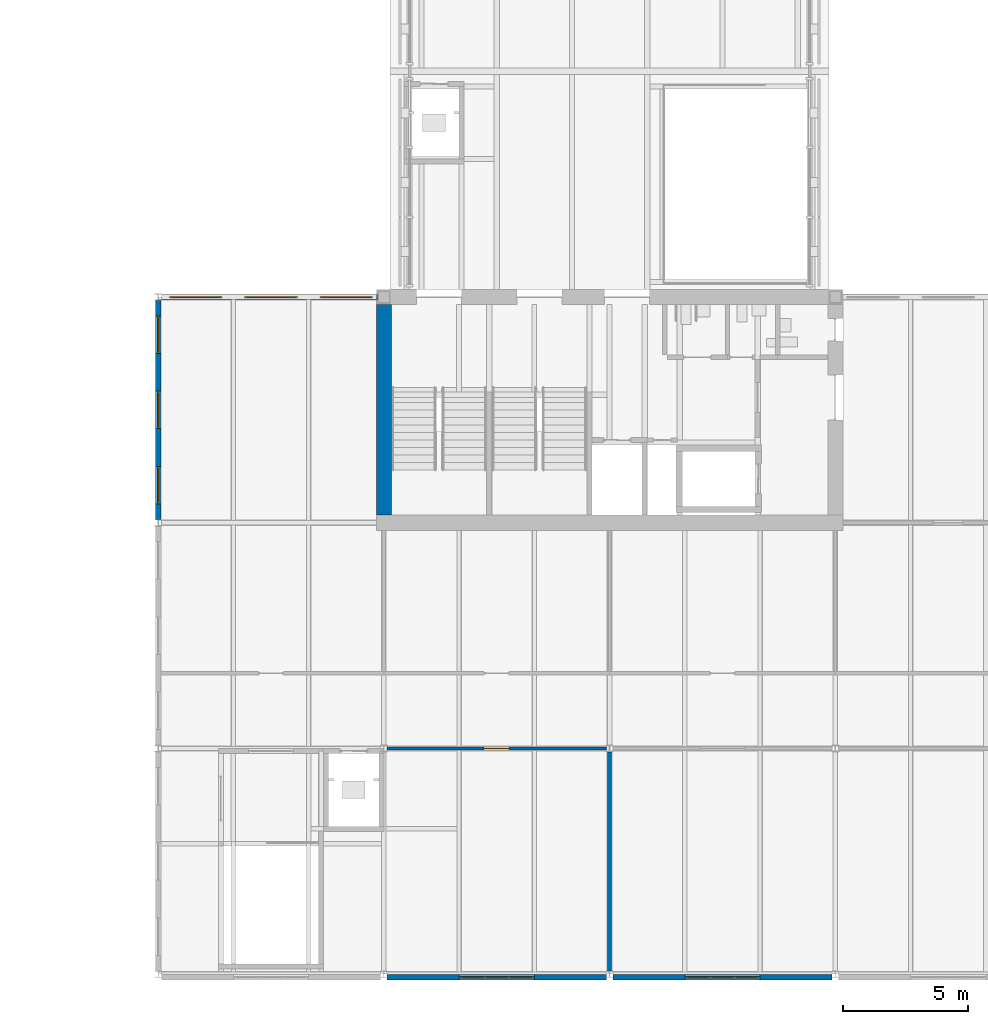
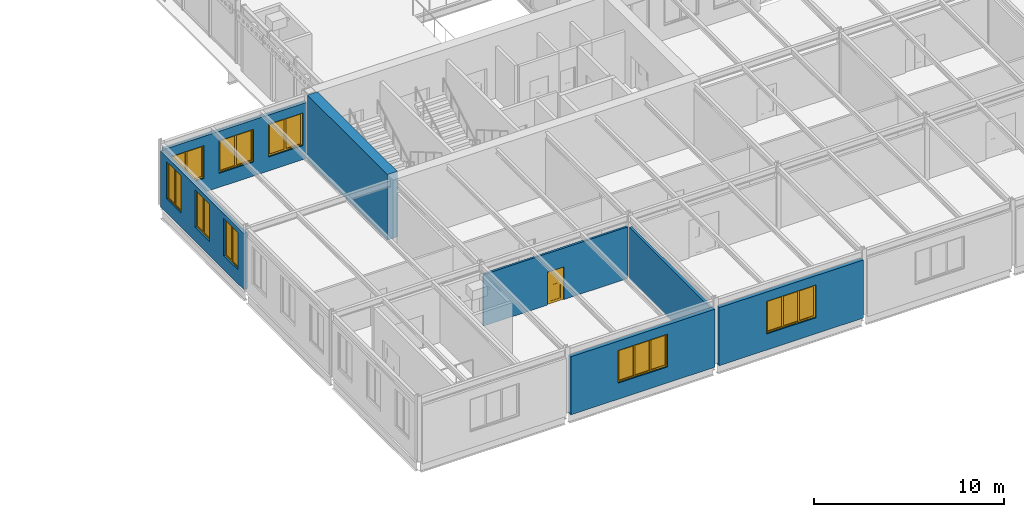
# One storey, part 60 of 123: 8 windows, 7 walls, 1 door, 9 openings.
"""IFC4 building model written with IfcOpenShell, lengths in metres."""

from ifc_helpers import new_model, si_unit, direction, frame, frame_2d, origin, place, context, subcontext, project, spatial, polyline, rectangle, outline, extrude, material, layer, layer_set, type_object, element, fill, save


model = new_model("IFC4")

# Units and contexts
model_context = context("Model", 3, precision=1e-05, world=origin(), true_north=direction((0.0, 1.0)))
body_context = subcontext(model_context, "Body", "Model", "MODEL_VIEW")
ifc_project = project(units=[si_unit("LENGTHUNIT", "METRE"), si_unit("AREAUNIT", "SQUARE_METRE"), si_unit("VOLUMEUNIT", "CUBIC_METRE"), si_unit("PLANEANGLEUNIT", "RADIAN"), si_unit("MASSUNIT", "GRAM", prefix="KILO")], contexts=[model_context])

# Site, building, storey
site_placement = place(None, origin())
site = spatial("IfcSite", under=ifc_project, at=site_placement, CompositionType="ELEMENT")
building_placement = place(site_placement, origin())
building = spatial("IfcBuilding", under=site, at=building_placement, Name="Baradari Gate Terminus", CompositionType="ELEMENT")
storey_placement = place(building_placement, frame((0.0, 0.0, 7.5)))
storey = spatial("IfcBuildingStorey", under=building, at=storey_placement, Name="L01", CompositionType="ELEMENT", Elevation=7.5)

# Wall
ifc_material_1 = material(Name="Concrete C40/50", Category="concrete")
ifc_layer_1 = layer(ifc_material_1, 0.60009765625)
ifc_layer_set_1 = layer_set([ifc_layer_1], Name="Concrete C40/50")
wall_type_1 = type_object("IfcWallType", Name="Abutment core wall CWL04 600", PredefinedType="SOLIDWALL", material=ifc_layer_set_1)
wall_1_placement = place(storey_placement, frame((72.0, 27.300048828125, 0.0), z_axis=(0.0, 0.0, 1.0), x_axis=(0.0, 1.0, 0.0)))
element("IfcWall", 1, at=wall_1_placement, inside=storey, type_object=wall_type_1, Name="Abutment core wall GS W L01", PredefinedType="SOLIDWALL", context=body_context, shape_type="SweptSolid", body=[
    extrude(rectangle(XDim=8.39990234375, YDim=0.60009765625, at=frame_2d((4.199951171875, 0.0))), origin(), (0.0, 0.0, 1.0), 4.199951171875),
])

# Wall, opening, door
ifc_material_2 = material(Name="Gypsum board")
ifc_layer_2 = layer(ifc_material_2, 0.125)
ifc_layer_set_2 = layer_set([ifc_layer_2], Name="Gypsum board")
wall_type_2 = type_object("IfcWallType", Name="Corridor partition PT-5 125 EI 30", PredefinedType="PARTITIONING", material=ifc_layer_set_2)
wall_2_placement = place(storey_placement, frame((80.871826171875, 18.0, 0.0), z_axis=(0.0, 0.0, 1.0), x_axis=(-1.0, 0.0, 0.0)))
wall_2 = element("IfcWall", 2, at=wall_2_placement, inside=storey, type_object=wall_type_2, Name="PT-5 partition Corridor (Service Corridor South) / South Wing Office 7", PredefinedType="PARTITIONING", context=body_context, shape_type="SweptSolid", body=[
    extrude(rectangle(XDim=8.74365234375, YDim=0.125, at=frame_2d((4.371826171875, 0.0))), origin(), (0.0, 0.0, 1.0), 3.306884765625),
])
opening_1_placement = place(wall_2_placement, frame((3.871826171875, 0.0, 0.0)))
opening_1 = element("IfcOpeningElement", 3, at=opening_1_placement, cuts=wall_2, Name="Opening D01-083", PredefinedType="OPENING", context=body_context, shape_type="SweptSolid", body=[
    extrude(rectangle(XDim=1.0, YDim=2.10009765625, at=frame_2d((0.5, 1.050048828125))), frame((0.0, 0.072509765625, 0.0), z_axis=(0.0, -1.0, 0.0), x_axis=(1.0, 0.0, 0.0)), (0.0, 0.0, 1.0), 0.14501953125),
])
ifc_material_3 = material(Name="Steel S275", Category="steel")
door_type = type_object("IfcDoorType", Name="Fire door FI-1000-FD30S 1000x2100 FD30S", OperationType="SINGLE_SWING_LEFT", PredefinedType="DOOR", material=ifc_material_3)
door_placement = place(opening_1_placement, origin())
door = element("IfcDoor", 4, at=door_placement, inside=storey, type_object=door_type, Name="Door South Wing Office 7", OperationType="SINGLE_SWING_LEFT", OverallHeight=2.1, OverallWidth=1.0, PredefinedType="DOOR", context=body_context, shape_type="SweptSolid", body=[
    extrude(outline(polyline([(0.0, 0.0), (0.070068359375, 0.0), (0.070068359375, 2.030029296875), (0.929931640625, 2.030029296875), (0.929931640625, 0.0), (1.0, 0.0), (1.0, 2.10009765625), (0.0, 2.10009765625), (0.0, 0.0)])), frame((0.0, 0.02490234375, 0.0), z_axis=(0.0, -1.0, 0.0), x_axis=(1.0, 0.0, 0.0)), (0.0, 0.0, 1.0), 0.050048828125),
    extrude(outline(polyline([(0.073974609375, 0.010009765625), (0.926025390625, 0.010009765625), (0.926025390625, 2.026123046875), (0.073974609375, 2.026123046875), (0.073974609375, 0.010009765625)]), holes=[polyline([(0.194091796875, 0.159912109375), (0.805908203125, 0.159912109375), (0.805908203125, 1.010009765625), (0.194091796875, 1.010009765625), (0.194091796875, 0.159912109375)]), polyline([(0.35009765625, 1.159912109375), (0.64990234375, 1.159912109375), (0.64990234375, 1.760009765625), (0.35009765625, 1.760009765625), (0.35009765625, 1.159912109375)])]), frame((0.0, 0.017333984375, 0.0), z_axis=(0.0, -1.0, 0.0), x_axis=(1.0, 0.0, 0.0)), (0.0, 0.0, 1.0), 0.034912109375),
    extrude(rectangle(XDim=0.61181640625, YDim=0.85009765625, at=frame_2d((0.5, 0.5849609375))), frame((0.0, 0.008544921875, 0.0), z_axis=(0.0, -1.0, 0.0), x_axis=(1.0, 0.0, 0.0)), (0.0, 0.0, 1.0), 0.017333984375),
    extrude(rectangle(XDim=0.2998046875, YDim=0.60009765625, at=frame_2d((0.5, 1.4599609375))), frame((0.0, 0.005859375, 0.0), z_axis=(0.0, -1.0, 0.0), x_axis=(1.0, 0.0, 0.0)), (0.0, 0.0, 1.0), 0.011962890625),
])
fill(opening_1, door)

# Wall, opening, window
ifc_material_4 = material(Name="Light ochre laterite masonry", Category="masonry")
ifc_layer_3 = layer(ifc_material_4, 0.219970703125)
ifc_layer_set_3 = layer_set([ifc_layer_3], Name="Light ochre laterite masonry")
wall_type_3 = type_object("IfcWallType", Name="Laterite masonry wall WP-2 220", PredefinedType="SOLIDWALL", material=ifc_layer_set_3)
wall_3_placement = place(storey_placement, frame((72.127197265625, 8.880126953125, -0.1298828125), z_axis=(0.0, 0.0, 1.0), x_axis=(1.0, 0.0, 0.0)))
wall_3 = element("IfcWall", 5, at=wall_3_placement, inside=storey, type_object=wall_type_3, Name="south front wall SS bay 9 L01", PredefinedType="SOLIDWALL", context=body_context, shape_type="SweptSolid", body=[
    extrude(rectangle(XDim=8.74560546875, YDim=0.219970703125, at=frame_2d((4.372802734375, 0.0))), origin(), (0.0, 0.0, 1.0), 3.7265625),
])
opening_2_placement = place(wall_3_placement, frame((2.872802734375, 0.0, 1.030029296875)))
opening_2 = element("IfcOpeningElement", 6, at=opening_2_placement, cuts=wall_3, Name="Opening W5", PredefinedType="OPENING", context=body_context, shape_type="SweptSolid", body=[
    extrude(rectangle(XDim=3.0, YDim=2.10009765625, at=frame_2d((1.5, 1.050048828125))), frame((0.0, 0.119873046875, 0.0), z_axis=(0.0, -1.0, 0.0), x_axis=(1.0, 0.0, 0.0)), (0.0, 0.0, 1.0), 0.239990234375),
])
ifc_material_5 = material(Name="Aluminium 6063-T6", Category="aluminium")
window_type_1 = type_object("IfcWindowType", Name="Wide window, 4-light W5 3000x2100", PartitioningType="TRIPLE_PANEL_VERTICAL", PredefinedType="WINDOW", material=ifc_material_5)
window_1_placement = place(opening_2_placement, origin())
window_1 = element("IfcWindow", 7, at=window_1_placement, inside=storey, type_object=window_type_1, Name="Window W5 SS/08", OverallHeight=2.1, OverallWidth=3.0, PartitioningType="TRIPLE_PANEL_VERTICAL", PredefinedType="WINDOW", context=body_context, shape_type="SweptSolid", body=[
    extrude(outline(polyline([(0.0, 0.0), (3.0, 0.0), (3.0, 2.10009765625), (0.0, 2.10009765625), (0.0, 0.0)]), holes=[polyline([(0.070068359375, 0.070068359375), (2.929931640625, 0.070068359375), (2.929931640625, 2.030029296875), (0.070068359375, 2.030029296875), (0.070068359375, 0.070068359375)])]), frame((0.0, 0.030029296875, 0.0), z_axis=(0.0, -1.0, 0.0), x_axis=(1.0, 0.0, 0.0)), (0.0, 0.0, 1.0), 0.06005859375),
    extrude(rectangle(XDim=0.0400390625, YDim=1.9599609375, at=frame_2d((1.0166015625, 1.050048828125))), frame((0.0, 0.02197265625, 0.0), z_axis=(0.0, -1.0, 0.0), x_axis=(1.0, 0.0, 0.0)), (0.0, 0.0, 1.0), 0.0439453125),
    extrude(rectangle(XDim=0.0400390625, YDim=1.9599609375, at=frame_2d((1.9833984375, 1.050048828125))), frame((0.0, 0.02197265625, 0.0), z_axis=(0.0, -1.0, 0.0), x_axis=(1.0, 0.0, 0.0)), (0.0, 0.0, 1.0), 0.0439453125),
    extrude(outline(polyline([(0.070068359375, 0.070068359375), (0.99658203125, 0.070068359375), (0.99658203125, 2.030029296875), (0.070068359375, 2.030029296875), (0.070068359375, 0.070068359375)]), holes=[polyline([(0.10009765625, 0.10009765625), (0.966552734375, 0.10009765625), (0.966552734375, 2.0), (0.10009765625, 2.0), (0.10009765625, 0.10009765625)])]), frame((0.0, 0.0224609375, 0.0), z_axis=(0.0, -1.0, 0.0), x_axis=(1.0, 0.0, 0.0)), (0.0, 0.0, 1.0), 0.044921875),
    extrude(rectangle(XDim=0.866455078125, YDim=1.89990234375, at=frame_2d((0.533203125, 1.050048828125))), frame((0.0, 0.006103515625, 0.0), z_axis=(0.0, -1.0, 0.0), x_axis=(1.0, 0.0, 0.0)), (0.0, 0.0, 1.0), 0.01220703125),
    extrude(outline(polyline([(1.03662109375, 0.070068359375), (1.96337890625, 0.070068359375), (1.96337890625, 2.030029296875), (1.03662109375, 2.030029296875), (1.03662109375, 0.070068359375)]), holes=[polyline([(1.066650390625, 0.10009765625), (1.933349609375, 0.10009765625), (1.933349609375, 2.0), (1.066650390625, 2.0), (1.066650390625, 0.10009765625)])]), frame((0.0, 0.0224609375, 0.0), z_axis=(0.0, -1.0, 0.0), x_axis=(1.0, 0.0, 0.0)), (0.0, 0.0, 1.0), 0.044921875),
    extrude(rectangle(XDim=0.86669921875, YDim=1.89990234375, at=frame_2d((1.5, 1.050048828125))), frame((0.0, 0.006103515625, 0.0), z_axis=(0.0, -1.0, 0.0), x_axis=(1.0, 0.0, 0.0)), (0.0, 0.0, 1.0), 0.01220703125),
    extrude(outline(polyline([(2.00341796875, 0.070068359375), (2.929931640625, 0.070068359375), (2.929931640625, 2.030029296875), (2.00341796875, 2.030029296875), (2.00341796875, 0.070068359375)]), holes=[polyline([(2.033447265625, 0.10009765625), (2.89990234375, 0.10009765625), (2.89990234375, 2.0), (2.033447265625, 2.0), (2.033447265625, 0.10009765625)])]), frame((0.0, 0.0224609375, 0.0), z_axis=(0.0, -1.0, 0.0), x_axis=(1.0, 0.0, 0.0)), (0.0, 0.0, 1.0), 0.044921875),
    extrude(rectangle(XDim=0.866455078125, YDim=1.89990234375, at=frame_2d((2.466796875, 1.050048828125))), frame((0.0, 0.006103515625, 0.0), z_axis=(0.0, -1.0, 0.0), x_axis=(1.0, 0.0, 0.0)), (0.0, 0.0, 1.0), 0.01220703125),
])
fill(opening_2, window_1)

wall_4_placement = place(storey_placement, frame((81.127197265625, 8.880126953125, -0.1298828125), z_axis=(0.0, 0.0, 1.0), x_axis=(1.0, 0.0, 0.0)))
wall_4 = element("IfcWall", 8, at=wall_4_placement, inside=storey, type_object=wall_type_3, Name="south front wall SS bay 10 L01", PredefinedType="SOLIDWALL", context=body_context, shape_type="SweptSolid", body=[
    extrude(rectangle(XDim=8.74560546875, YDim=0.219970703125, at=frame_2d((4.372802734375, 0.0))), origin(), (0.0, 0.0, 1.0), 3.7265625),
])
opening_3_placement = place(wall_4_placement, frame((2.872802734375, 0.0, 1.030029296875)))
opening_3 = element("IfcOpeningElement", 9, at=opening_3_placement, cuts=wall_4, Name="Opening W5", PredefinedType="OPENING", context=body_context, shape_type="SweptSolid", body=[
    extrude(rectangle(XDim=3.0, YDim=2.10009765625, at=frame_2d((1.5, 1.050048828125))), frame((0.0, 0.119873046875, 0.0), z_axis=(0.0, -1.0, 0.0), x_axis=(1.0, 0.0, 0.0)), (0.0, 0.0, 1.0), 0.239990234375),
])
window_2_placement = place(opening_3_placement, origin())
window_2 = element("IfcWindow", 10, at=window_2_placement, inside=storey, type_object=window_type_1, Name="Window W5 SS/09", OverallHeight=2.1, OverallWidth=3.0, PartitioningType="TRIPLE_PANEL_VERTICAL", PredefinedType="WINDOW", context=body_context, shape_type="SweptSolid", body=[
    extrude(outline(polyline([(0.0, 0.0), (3.0, 0.0), (3.0, 2.10009765625), (0.0, 2.10009765625), (0.0, 0.0)]), holes=[polyline([(0.070068359375, 0.070068359375), (2.929931640625, 0.070068359375), (2.929931640625, 2.030029296875), (0.070068359375, 2.030029296875), (0.070068359375, 0.070068359375)])]), frame((0.0, 0.030029296875, 0.0), z_axis=(0.0, -1.0, 0.0), x_axis=(1.0, 0.0, 0.0)), (0.0, 0.0, 1.0), 0.06005859375),
    extrude(rectangle(XDim=0.0400390625, YDim=1.9599609375, at=frame_2d((1.0166015625, 1.050048828125))), frame((0.0, 0.02197265625, 0.0), z_axis=(0.0, -1.0, 0.0), x_axis=(1.0, 0.0, 0.0)), (0.0, 0.0, 1.0), 0.0439453125),
    extrude(rectangle(XDim=0.0400390625, YDim=1.9599609375, at=frame_2d((1.9833984375, 1.050048828125))), frame((0.0, 0.02197265625, 0.0), z_axis=(0.0, -1.0, 0.0), x_axis=(1.0, 0.0, 0.0)), (0.0, 0.0, 1.0), 0.0439453125),
    extrude(outline(polyline([(0.070068359375, 0.070068359375), (0.99658203125, 0.070068359375), (0.99658203125, 2.030029296875), (0.070068359375, 2.030029296875), (0.070068359375, 0.070068359375)]), holes=[polyline([(0.10009765625, 0.10009765625), (0.966552734375, 0.10009765625), (0.966552734375, 2.0), (0.10009765625, 2.0), (0.10009765625, 0.10009765625)])]), frame((0.0, 0.0224609375, 0.0), z_axis=(0.0, -1.0, 0.0), x_axis=(1.0, 0.0, 0.0)), (0.0, 0.0, 1.0), 0.044921875),
    extrude(rectangle(XDim=0.866455078125, YDim=1.89990234375, at=frame_2d((0.533203125, 1.050048828125))), frame((0.0, 0.006103515625, 0.0), z_axis=(0.0, -1.0, 0.0), x_axis=(1.0, 0.0, 0.0)), (0.0, 0.0, 1.0), 0.01220703125),
    extrude(outline(polyline([(1.03662109375, 0.070068359375), (1.96337890625, 0.070068359375), (1.96337890625, 2.030029296875), (1.03662109375, 2.030029296875), (1.03662109375, 0.070068359375)]), holes=[polyline([(1.066650390625, 0.10009765625), (1.933349609375, 0.10009765625), (1.933349609375, 2.0), (1.066650390625, 2.0), (1.066650390625, 0.10009765625)])]), frame((0.0, 0.0224609375, 0.0), z_axis=(0.0, -1.0, 0.0), x_axis=(1.0, 0.0, 0.0)), (0.0, 0.0, 1.0), 0.044921875),
    extrude(rectangle(XDim=0.86669921875, YDim=1.89990234375, at=frame_2d((1.5, 1.050048828125))), frame((0.0, 0.006103515625, 0.0), z_axis=(0.0, -1.0, 0.0), x_axis=(1.0, 0.0, 0.0)), (0.0, 0.0, 1.0), 0.01220703125),
    extrude(outline(polyline([(2.00341796875, 0.070068359375), (2.929931640625, 0.070068359375), (2.929931640625, 2.030029296875), (2.00341796875, 2.030029296875), (2.00341796875, 0.070068359375)]), holes=[polyline([(2.033447265625, 0.10009765625), (2.89990234375, 0.10009765625), (2.89990234375, 2.0), (2.033447265625, 2.0), (2.033447265625, 0.10009765625)])]), frame((0.0, 0.0224609375, 0.0), z_axis=(0.0, -1.0, 0.0), x_axis=(1.0, 0.0, 0.0)), (0.0, 0.0, 1.0), 0.044921875),
    extrude(rectangle(XDim=0.866455078125, YDim=1.89990234375, at=frame_2d((2.466796875, 1.050048828125))), frame((0.0, 0.006103515625, 0.0), z_axis=(0.0, -1.0, 0.0), x_axis=(1.0, 0.0, 0.0)), (0.0, 0.0, 1.0), 0.01220703125),
])
fill(opening_3, window_2)

# Wall, openings, windows
wall_5_placement = place(storey_placement, frame((63.0, 27.130126953125, 0.0), z_axis=(0.0, 0.0, 1.0), x_axis=(0.0, 1.0, 0.0)))
wall_5 = element("IfcWall", 11, at=wall_5_placement, inside=storey, type_object=wall_type_3, Name="west end wall SW bay 4 L01", PredefinedType="SOLIDWALL", context=body_context, shape_type="SweptSolid", body=[
    extrude(rectangle(XDim=8.73974609375, YDim=0.219970703125, at=frame_2d((4.369873046875, 0.0))), origin(), (0.0, 0.0, 1.0), 3.5966796875),
])
opening_4_placement = place(wall_5_placement, frame((0.619873046875, 0.0, 0.89990234375)))
opening_4 = element("IfcOpeningElement", 12, at=opening_4_placement, cuts=wall_5, Name="Opening W1", PredefinedType="OPENING", context=body_context, shape_type="SweptSolid", body=[
    extrude(rectangle(XDim=1.5, YDim=2.39990234375, at=frame_2d((0.75, 1.199951171875))), frame((0.0, 0.119873046875, 0.0), z_axis=(0.0, -1.0, 0.0), x_axis=(1.0, 0.0, 0.0)), (0.0, 0.0, 1.0), 0.239990234375),
])
opening_5_placement = place(wall_5_placement, frame((3.619873046875, 0.0, 0.89990234375)))
opening_5 = element("IfcOpeningElement", 13, at=opening_5_placement, cuts=wall_5, Name="Opening W1", PredefinedType="OPENING", context=body_context, shape_type="SweptSolid", body=[
    extrude(rectangle(XDim=1.5, YDim=2.39990234375, at=frame_2d((0.75, 1.199951171875))), frame((0.0, 0.119873046875, 0.0), z_axis=(0.0, -1.0, 0.0), x_axis=(1.0, 0.0, 0.0)), (0.0, 0.0, 1.0), 0.239990234375),
])
opening_6_placement = place(wall_5_placement, frame((6.619873046875, 0.0, 0.89990234375)))
opening_6 = element("IfcOpeningElement", 14, at=opening_6_placement, cuts=wall_5, Name="Opening W1", PredefinedType="OPENING", context=body_context, shape_type="SweptSolid", body=[
    extrude(rectangle(XDim=1.5, YDim=2.39990234375, at=frame_2d((0.75, 1.199951171875))), frame((0.0, 0.119873046875, 0.0), z_axis=(0.0, -1.0, 0.0), x_axis=(1.0, 0.0, 0.0)), (0.0, 0.0, 1.0), 0.239990234375),
])
ifc_material_6 = material(Name="Aluminium 6063-T6", Category="aluminium")
window_type_2 = type_object("IfcWindowType", Name="Punched window, 2-light W1 1500x2400", PartitioningType="DOUBLE_PANEL_VERTICAL", PredefinedType="WINDOW", material=ifc_material_6)
window_3_placement = place(opening_4_placement, origin())
window_3 = element("IfcWindow", 15, at=window_3_placement, inside=storey, type_object=window_type_2, Name="Window W1 SW/03", OverallHeight=2.4, OverallWidth=1.5, PartitioningType="DOUBLE_PANEL_VERTICAL", PredefinedType="WINDOW", context=body_context, shape_type="SweptSolid", body=[
    extrude(outline(polyline([(0.0, 0.0), (1.5, 0.0), (1.5, 2.39990234375), (0.0, 2.39990234375), (0.0, 0.0)]), holes=[polyline([(0.070068359375, 0.070068359375), (1.429931640625, 0.070068359375), (1.429931640625, 2.329833984375), (0.070068359375, 2.329833984375), (0.070068359375, 0.070068359375)])]), frame((0.0, 0.030029296875, 0.0), z_axis=(0.0, -1.0, 0.0), x_axis=(1.0, 0.0, 0.0)), (0.0, 0.0, 1.0), 0.06005859375),
    extrude(rectangle(XDim=0.0400390625, YDim=2.259765625, at=frame_2d((0.75, 1.199951171875))), frame((0.0, 0.02197265625, 0.0), z_axis=(0.0, -1.0, 0.0), x_axis=(1.0, 0.0, 0.0)), (0.0, 0.0, 1.0), 0.0439453125),
    extrude(outline(polyline([(0.070068359375, 0.070068359375), (0.72998046875, 0.070068359375), (0.72998046875, 2.329833984375), (0.070068359375, 2.329833984375), (0.070068359375, 0.070068359375)]), holes=[polyline([(0.10009765625, 0.10009765625), (0.699951171875, 0.10009765625), (0.699951171875, 2.2998046875), (0.10009765625, 2.2998046875), (0.10009765625, 0.10009765625)])]), frame((0.0, 0.0224609375, 0.0), z_axis=(0.0, -1.0, 0.0), x_axis=(1.0, 0.0, 0.0)), (0.0, 0.0, 1.0), 0.044921875),
    extrude(rectangle(XDim=0.599853515625, YDim=2.19970703125, at=frame_2d((0.39990234375, 1.199951171875))), frame((0.0, 0.006103515625, 0.0), z_axis=(0.0, -1.0, 0.0), x_axis=(1.0, 0.0, 0.0)), (0.0, 0.0, 1.0), 0.01220703125),
    extrude(outline(polyline([(0.77001953125, 0.070068359375), (1.429931640625, 0.070068359375), (1.429931640625, 2.329833984375), (0.77001953125, 2.329833984375), (0.77001953125, 0.070068359375)]), holes=[polyline([(0.800048828125, 0.10009765625), (1.39990234375, 0.10009765625), (1.39990234375, 2.2998046875), (0.800048828125, 2.2998046875), (0.800048828125, 0.10009765625)])]), frame((0.0, 0.0224609375, 0.0), z_axis=(0.0, -1.0, 0.0), x_axis=(1.0, 0.0, 0.0)), (0.0, 0.0, 1.0), 0.044921875),
    extrude(rectangle(XDim=0.599853515625, YDim=2.19970703125, at=frame_2d((1.10009765625, 1.199951171875))), frame((0.0, 0.006103515625, 0.0), z_axis=(0.0, -1.0, 0.0), x_axis=(1.0, 0.0, 0.0)), (0.0, 0.0, 1.0), 0.01220703125),
])
fill(opening_4, window_3)
window_4_placement = place(opening_5_placement, origin())
window_4 = element("IfcWindow", 16, at=window_4_placement, inside=storey, type_object=window_type_2, Name="Window W1 SW/03", OverallHeight=2.4, OverallWidth=1.5, PartitioningType="DOUBLE_PANEL_VERTICAL", PredefinedType="WINDOW", context=body_context, shape_type="SweptSolid", body=[
    extrude(outline(polyline([(0.0, 0.0), (1.5, 0.0), (1.5, 2.39990234375), (0.0, 2.39990234375), (0.0, 0.0)]), holes=[polyline([(0.070068359375, 0.070068359375), (1.429931640625, 0.070068359375), (1.429931640625, 2.329833984375), (0.070068359375, 2.329833984375), (0.070068359375, 0.070068359375)])]), frame((0.0, 0.030029296875, 0.0), z_axis=(0.0, -1.0, 0.0), x_axis=(1.0, 0.0, 0.0)), (0.0, 0.0, 1.0), 0.06005859375),
    extrude(rectangle(XDim=0.0400390625, YDim=2.259765625, at=frame_2d((0.75, 1.199951171875))), frame((0.0, 0.02197265625, 0.0), z_axis=(0.0, -1.0, 0.0), x_axis=(1.0, 0.0, 0.0)), (0.0, 0.0, 1.0), 0.0439453125),
    extrude(outline(polyline([(0.070068359375, 0.070068359375), (0.72998046875, 0.070068359375), (0.72998046875, 2.329833984375), (0.070068359375, 2.329833984375), (0.070068359375, 0.070068359375)]), holes=[polyline([(0.10009765625, 0.10009765625), (0.699951171875, 0.10009765625), (0.699951171875, 2.2998046875), (0.10009765625, 2.2998046875), (0.10009765625, 0.10009765625)])]), frame((0.0, 0.0224609375, 0.0), z_axis=(0.0, -1.0, 0.0), x_axis=(1.0, 0.0, 0.0)), (0.0, 0.0, 1.0), 0.044921875),
    extrude(rectangle(XDim=0.599853515625, YDim=2.19970703125, at=frame_2d((0.39990234375, 1.199951171875))), frame((0.0, 0.006103515625, 0.0), z_axis=(0.0, -1.0, 0.0), x_axis=(1.0, 0.0, 0.0)), (0.0, 0.0, 1.0), 0.01220703125),
    extrude(outline(polyline([(0.77001953125, 0.070068359375), (1.429931640625, 0.070068359375), (1.429931640625, 2.329833984375), (0.77001953125, 2.329833984375), (0.77001953125, 0.070068359375)]), holes=[polyline([(0.800048828125, 0.10009765625), (1.39990234375, 0.10009765625), (1.39990234375, 2.2998046875), (0.800048828125, 2.2998046875), (0.800048828125, 0.10009765625)])]), frame((0.0, 0.0224609375, 0.0), z_axis=(0.0, -1.0, 0.0), x_axis=(1.0, 0.0, 0.0)), (0.0, 0.0, 1.0), 0.044921875),
    extrude(rectangle(XDim=0.599853515625, YDim=2.19970703125, at=frame_2d((1.10009765625, 1.199951171875))), frame((0.0, 0.006103515625, 0.0), z_axis=(0.0, -1.0, 0.0), x_axis=(1.0, 0.0, 0.0)), (0.0, 0.0, 1.0), 0.01220703125),
])
fill(opening_5, window_4)
window_5_placement = place(opening_6_placement, origin())
window_5 = element("IfcWindow", 17, at=window_5_placement, inside=storey, type_object=window_type_2, Name="Window W1 SW/03", OverallHeight=2.4, OverallWidth=1.5, PartitioningType="DOUBLE_PANEL_VERTICAL", PredefinedType="WINDOW", context=body_context, shape_type="SweptSolid", body=[
    extrude(outline(polyline([(0.0, 0.0), (1.5, 0.0), (1.5, 2.39990234375), (0.0, 2.39990234375), (0.0, 0.0)]), holes=[polyline([(0.070068359375, 0.070068359375), (1.429931640625, 0.070068359375), (1.429931640625, 2.329833984375), (0.070068359375, 2.329833984375), (0.070068359375, 0.070068359375)])]), frame((0.0, 0.030029296875, 0.0), z_axis=(0.0, -1.0, 0.0), x_axis=(1.0, 0.0, 0.0)), (0.0, 0.0, 1.0), 0.06005859375),
    extrude(rectangle(XDim=0.0400390625, YDim=2.259765625, at=frame_2d((0.75, 1.199951171875))), frame((0.0, 0.02197265625, 0.0), z_axis=(0.0, -1.0, 0.0), x_axis=(1.0, 0.0, 0.0)), (0.0, 0.0, 1.0), 0.0439453125),
    extrude(outline(polyline([(0.070068359375, 0.070068359375), (0.72998046875, 0.070068359375), (0.72998046875, 2.329833984375), (0.070068359375, 2.329833984375), (0.070068359375, 0.070068359375)]), holes=[polyline([(0.10009765625, 0.10009765625), (0.699951171875, 0.10009765625), (0.699951171875, 2.2998046875), (0.10009765625, 2.2998046875), (0.10009765625, 0.10009765625)])]), frame((0.0, 0.0224609375, 0.0), z_axis=(0.0, -1.0, 0.0), x_axis=(1.0, 0.0, 0.0)), (0.0, 0.0, 1.0), 0.044921875),
    extrude(rectangle(XDim=0.599853515625, YDim=2.19970703125, at=frame_2d((0.39990234375, 1.199951171875))), frame((0.0, 0.006103515625, 0.0), z_axis=(0.0, -1.0, 0.0), x_axis=(1.0, 0.0, 0.0)), (0.0, 0.0, 1.0), 0.01220703125),
    extrude(outline(polyline([(0.77001953125, 0.070068359375), (1.429931640625, 0.070068359375), (1.429931640625, 2.329833984375), (0.77001953125, 2.329833984375), (0.77001953125, 0.070068359375)]), holes=[polyline([(0.800048828125, 0.10009765625), (1.39990234375, 0.10009765625), (1.39990234375, 2.2998046875), (0.800048828125, 2.2998046875), (0.800048828125, 0.10009765625)])]), frame((0.0, 0.0224609375, 0.0), z_axis=(0.0, -1.0, 0.0), x_axis=(1.0, 0.0, 0.0)), (0.0, 0.0, 1.0), 0.044921875),
    extrude(rectangle(XDim=0.599853515625, YDim=2.19970703125, at=frame_2d((1.10009765625, 1.199951171875))), frame((0.0, 0.006103515625, 0.0), z_axis=(0.0, -1.0, 0.0), x_axis=(1.0, 0.0, 0.0)), (0.0, 0.0, 1.0), 0.01220703125),
])
fill(opening_6, window_5)

wall_6_placement = place(storey_placement, frame((63.128173828125, 36.0, 0.0), z_axis=(0.0, 0.0, 1.0), x_axis=(1.0, 0.0, 0.0)))
wall_6 = element("IfcWall", 18, at=wall_6_placement, inside=storey, type_object=wall_type_3, Name="platform side wall SN bay 8 L01", PredefinedType="SOLIDWALL", context=body_context, shape_type="SweptSolid", body=[
    extrude(rectangle(XDim=8.621826171875, YDim=0.219970703125, at=frame_2d((4.31103515625, 0.0))), origin(), (0.0, 0.0, 1.0), 3.5966796875),
])
opening_7_placement = place(wall_6_placement, frame((0.32177734375, 0.0, 0.89990234375)))
opening_7 = element("IfcOpeningElement", 19, at=opening_7_placement, cuts=wall_6, Name="Opening W13", PredefinedType="OPENING", context=body_context, shape_type="SweptSolid", body=[
    extrude(rectangle(XDim=2.10009765625, YDim=2.10009765625, at=frame_2d((1.050048828125, 1.050048828125))), frame((0.0, 0.119873046875, 0.0), z_axis=(0.0, -1.0, 0.0), x_axis=(1.0, 0.0, 0.0)), (0.0, 0.0, 1.0), 0.239990234375),
])
opening_8_placement = place(wall_6_placement, frame((3.32177734375, 0.0, 0.89990234375)))
opening_8 = element("IfcOpeningElement", 20, at=opening_8_placement, cuts=wall_6, Name="Opening W13", PredefinedType="OPENING", context=body_context, shape_type="SweptSolid", body=[
    extrude(rectangle(XDim=2.10009765625, YDim=2.10009765625, at=frame_2d((1.050048828125, 1.050048828125))), frame((0.0, 0.119873046875, 0.0), z_axis=(0.0, -1.0, 0.0), x_axis=(1.0, 0.0, 0.0)), (0.0, 0.0, 1.0), 0.239990234375),
])
opening_9_placement = place(wall_6_placement, frame((6.32177734375, 0.0, 0.89990234375)))
opening_9 = element("IfcOpeningElement", 21, at=opening_9_placement, cuts=wall_6, Name="Opening W13", PredefinedType="OPENING", context=body_context, shape_type="SweptSolid", body=[
    extrude(rectangle(XDim=2.10009765625, YDim=2.10009765625, at=frame_2d((1.050048828125, 1.050048828125))), frame((0.0, 0.119873046875, 0.0), z_axis=(0.0, -1.0, 0.0), x_axis=(1.0, 0.0, 0.0)), (0.0, 0.0, 1.0), 0.239990234375),
])
ifc_material_7 = material(Name="Aluminium 6063-T6", Category="aluminium")
window_type_3 = type_object("IfcWindowType", Name="Platform-side office window W13 2100x2100", PartitioningType="DOUBLE_PANEL_VERTICAL", PredefinedType="WINDOW", material=ifc_material_7)
window_6_placement = place(opening_7_placement, origin())
window_6 = element("IfcWindow", 22, at=window_6_placement, inside=storey, type_object=window_type_3, Name="Window W13 SN/07", OverallHeight=2.1, OverallWidth=2.1, PartitioningType="DOUBLE_PANEL_VERTICAL", PredefinedType="WINDOW", context=body_context, shape_type="SweptSolid", body=[
    extrude(outline(polyline([(0.0, 0.0), (2.10009765625, 0.0), (2.10009765625, 2.10009765625), (0.0, 2.10009765625), (0.0, 0.0)]), holes=[polyline([(0.070068359375, 0.070068359375), (2.030029296875, 0.070068359375), (2.030029296875, 2.030029296875), (0.070068359375, 2.030029296875), (0.070068359375, 0.070068359375)])]), frame((0.0, 0.030029296875, 0.0), z_axis=(0.0, -1.0, 0.0), x_axis=(1.0, 0.0, 0.0)), (0.0, 0.0, 1.0), 0.06005859375),
    extrude(rectangle(XDim=0.0400390625, YDim=1.9599609375, at=frame_2d((1.050048828125, 1.050048828125))), frame((0.0, 0.02197265625, 0.0), z_axis=(0.0, -1.0, 0.0), x_axis=(1.0, 0.0, 0.0)), (0.0, 0.0, 1.0), 0.0439453125),
    extrude(outline(polyline([(0.070068359375, 0.070068359375), (1.030029296875, 0.070068359375), (1.030029296875, 2.030029296875), (0.070068359375, 2.030029296875), (0.070068359375, 0.070068359375)]), holes=[polyline([(0.10009765625, 0.10009765625), (1.0, 0.10009765625), (1.0, 2.0), (0.10009765625, 2.0), (0.10009765625, 0.10009765625)])]), frame((0.0, 0.0224609375, 0.0), z_axis=(0.0, -1.0, 0.0), x_axis=(1.0, 0.0, 0.0)), (0.0, 0.0, 1.0), 0.044921875),
    extrude(rectangle(XDim=0.89990234375, YDim=1.89990234375, at=frame_2d((0.550048828125, 1.050048828125))), frame((0.0, 0.006103515625, 0.0), z_axis=(0.0, -1.0, 0.0), x_axis=(1.0, 0.0, 0.0)), (0.0, 0.0, 1.0), 0.01220703125),
    extrude(outline(polyline([(1.070068359375, 0.070068359375), (2.030029296875, 0.070068359375), (2.030029296875, 2.030029296875), (1.070068359375, 2.030029296875), (1.070068359375, 0.070068359375)]), holes=[polyline([(1.10009765625, 0.10009765625), (2.0, 0.10009765625), (2.0, 2.0), (1.10009765625, 2.0), (1.10009765625, 0.10009765625)])]), frame((0.0, 0.0224609375, 0.0), z_axis=(0.0, -1.0, 0.0), x_axis=(1.0, 0.0, 0.0)), (0.0, 0.0, 1.0), 0.044921875),
    extrude(rectangle(XDim=0.89990234375, YDim=1.89990234375, at=frame_2d((1.550048828125, 1.050048828125))), frame((0.0, 0.006103515625, 0.0), z_axis=(0.0, -1.0, 0.0), x_axis=(1.0, 0.0, 0.0)), (0.0, 0.0, 1.0), 0.01220703125),
])
fill(opening_7, window_6)
window_7_placement = place(opening_8_placement, origin())
window_7 = element("IfcWindow", 23, at=window_7_placement, inside=storey, type_object=window_type_3, Name="Window W13 SN/07", OverallHeight=2.1, OverallWidth=2.1, PartitioningType="DOUBLE_PANEL_VERTICAL", PredefinedType="WINDOW", context=body_context, shape_type="SweptSolid", body=[
    extrude(outline(polyline([(0.0, 0.0), (2.10009765625, 0.0), (2.10009765625, 2.10009765625), (0.0, 2.10009765625), (0.0, 0.0)]), holes=[polyline([(0.070068359375, 0.070068359375), (2.030029296875, 0.070068359375), (2.030029296875, 2.030029296875), (0.070068359375, 2.030029296875), (0.070068359375, 0.070068359375)])]), frame((0.0, 0.030029296875, 0.0), z_axis=(0.0, -1.0, 0.0), x_axis=(1.0, 0.0, 0.0)), (0.0, 0.0, 1.0), 0.06005859375),
    extrude(rectangle(XDim=0.0400390625, YDim=1.9599609375, at=frame_2d((1.050048828125, 1.050048828125))), frame((0.0, 0.02197265625, 0.0), z_axis=(0.0, -1.0, 0.0), x_axis=(1.0, 0.0, 0.0)), (0.0, 0.0, 1.0), 0.0439453125),
    extrude(outline(polyline([(0.070068359375, 0.070068359375), (1.030029296875, 0.070068359375), (1.030029296875, 2.030029296875), (0.070068359375, 2.030029296875), (0.070068359375, 0.070068359375)]), holes=[polyline([(0.10009765625, 0.10009765625), (1.0, 0.10009765625), (1.0, 2.0), (0.10009765625, 2.0), (0.10009765625, 0.10009765625)])]), frame((0.0, 0.0224609375, 0.0), z_axis=(0.0, -1.0, 0.0), x_axis=(1.0, 0.0, 0.0)), (0.0, 0.0, 1.0), 0.044921875),
    extrude(rectangle(XDim=0.89990234375, YDim=1.89990234375, at=frame_2d((0.550048828125, 1.050048828125))), frame((0.0, 0.006103515625, 0.0), z_axis=(0.0, -1.0, 0.0), x_axis=(1.0, 0.0, 0.0)), (0.0, 0.0, 1.0), 0.01220703125),
    extrude(outline(polyline([(1.070068359375, 0.070068359375), (2.030029296875, 0.070068359375), (2.030029296875, 2.030029296875), (1.070068359375, 2.030029296875), (1.070068359375, 0.070068359375)]), holes=[polyline([(1.10009765625, 0.10009765625), (2.0, 0.10009765625), (2.0, 2.0), (1.10009765625, 2.0), (1.10009765625, 0.10009765625)])]), frame((0.0, 0.0224609375, 0.0), z_axis=(0.0, -1.0, 0.0), x_axis=(1.0, 0.0, 0.0)), (0.0, 0.0, 1.0), 0.044921875),
    extrude(rectangle(XDim=0.89990234375, YDim=1.89990234375, at=frame_2d((1.550048828125, 1.050048828125))), frame((0.0, 0.006103515625, 0.0), z_axis=(0.0, -1.0, 0.0), x_axis=(1.0, 0.0, 0.0)), (0.0, 0.0, 1.0), 0.01220703125),
])
fill(opening_8, window_7)
window_8_placement = place(opening_9_placement, origin())
window_8 = element("IfcWindow", 24, at=window_8_placement, inside=storey, type_object=window_type_3, Name="Window W13 SN/07", OverallHeight=2.1, OverallWidth=2.1, PartitioningType="DOUBLE_PANEL_VERTICAL", PredefinedType="WINDOW", context=body_context, shape_type="SweptSolid", body=[
    extrude(outline(polyline([(0.0, 0.0), (2.10009765625, 0.0), (2.10009765625, 2.10009765625), (0.0, 2.10009765625), (0.0, 0.0)]), holes=[polyline([(0.070068359375, 0.070068359375), (2.030029296875, 0.070068359375), (2.030029296875, 2.030029296875), (0.070068359375, 2.030029296875), (0.070068359375, 0.070068359375)])]), frame((0.0, 0.030029296875, 0.0), z_axis=(0.0, -1.0, 0.0), x_axis=(1.0, 0.0, 0.0)), (0.0, 0.0, 1.0), 0.06005859375),
    extrude(rectangle(XDim=0.0400390625, YDim=1.9599609375, at=frame_2d((1.050048828125, 1.050048828125))), frame((0.0, 0.02197265625, 0.0), z_axis=(0.0, -1.0, 0.0), x_axis=(1.0, 0.0, 0.0)), (0.0, 0.0, 1.0), 0.0439453125),
    extrude(outline(polyline([(0.070068359375, 0.070068359375), (1.030029296875, 0.070068359375), (1.030029296875, 2.030029296875), (0.070068359375, 2.030029296875), (0.070068359375, 0.070068359375)]), holes=[polyline([(0.10009765625, 0.10009765625), (1.0, 0.10009765625), (1.0, 2.0), (0.10009765625, 2.0), (0.10009765625, 0.10009765625)])]), frame((0.0, 0.0224609375, 0.0), z_axis=(0.0, -1.0, 0.0), x_axis=(1.0, 0.0, 0.0)), (0.0, 0.0, 1.0), 0.044921875),
    extrude(rectangle(XDim=0.89990234375, YDim=1.89990234375, at=frame_2d((0.550048828125, 1.050048828125))), frame((0.0, 0.006103515625, 0.0), z_axis=(0.0, -1.0, 0.0), x_axis=(1.0, 0.0, 0.0)), (0.0, 0.0, 1.0), 0.01220703125),
    extrude(outline(polyline([(1.070068359375, 0.070068359375), (2.030029296875, 0.070068359375), (2.030029296875, 2.030029296875), (1.070068359375, 2.030029296875), (1.070068359375, 0.070068359375)]), holes=[polyline([(1.10009765625, 0.10009765625), (2.0, 0.10009765625), (2.0, 2.0), (1.10009765625, 2.0), (1.10009765625, 0.10009765625)])]), frame((0.0, 0.0224609375, 0.0), z_axis=(0.0, -1.0, 0.0), x_axis=(1.0, 0.0, 0.0)), (0.0, 0.0, 1.0), 0.044921875),
    extrude(rectangle(XDim=0.89990234375, YDim=1.89990234375, at=frame_2d((1.550048828125, 1.050048828125))), frame((0.0, 0.006103515625, 0.0), z_axis=(0.0, -1.0, 0.0), x_axis=(1.0, 0.0, 0.0)), (0.0, 0.0, 1.0), 0.01220703125),
])
fill(opening_9, window_8)

# Wall
ifc_material_8 = material(Name="Blockwork wall, plastered", Category="masonry")
ifc_layer_4 = layer(ifc_material_8, 0.14990234375)
ifc_layer_set_4 = layer_set([ifc_layer_4], Name="Blockwork wall, plastered")
wall_type_4 = type_object("IfcWallType", Name="Partition PT-2 150 EI 60", PredefinedType="PARTITIONING", material=ifc_layer_set_4)
wall_7_placement = place(storey_placement, frame((81.0, 9.126953125, 0.0), z_axis=(0.0, 0.0, 1.0), x_axis=(0.0, 1.0, 0.0)))
element("IfcWall", 25, at=wall_7_placement, inside=storey, type_object=wall_type_4, Name="PT-2 partition South Wing Lounge / South Wing Office 7", PredefinedType="PARTITIONING", context=body_context, shape_type="SweptSolid", body=[
    extrude(rectangle(XDim=8.742919921875, YDim=0.14990234375, at=frame_2d((4.37158203125, 0.0))), origin(), (0.0, 0.0, 1.0), 3.306884765625),
])

save(model, "model.ifc")
